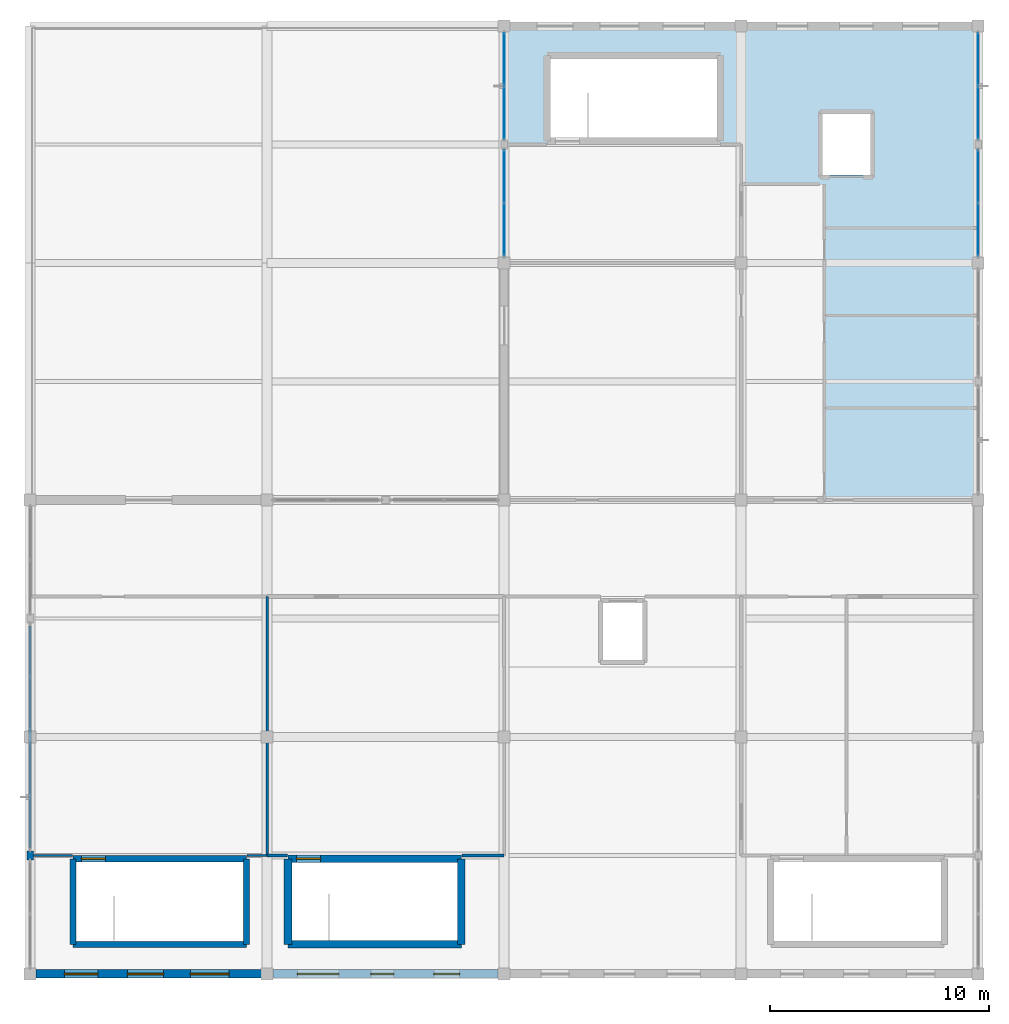
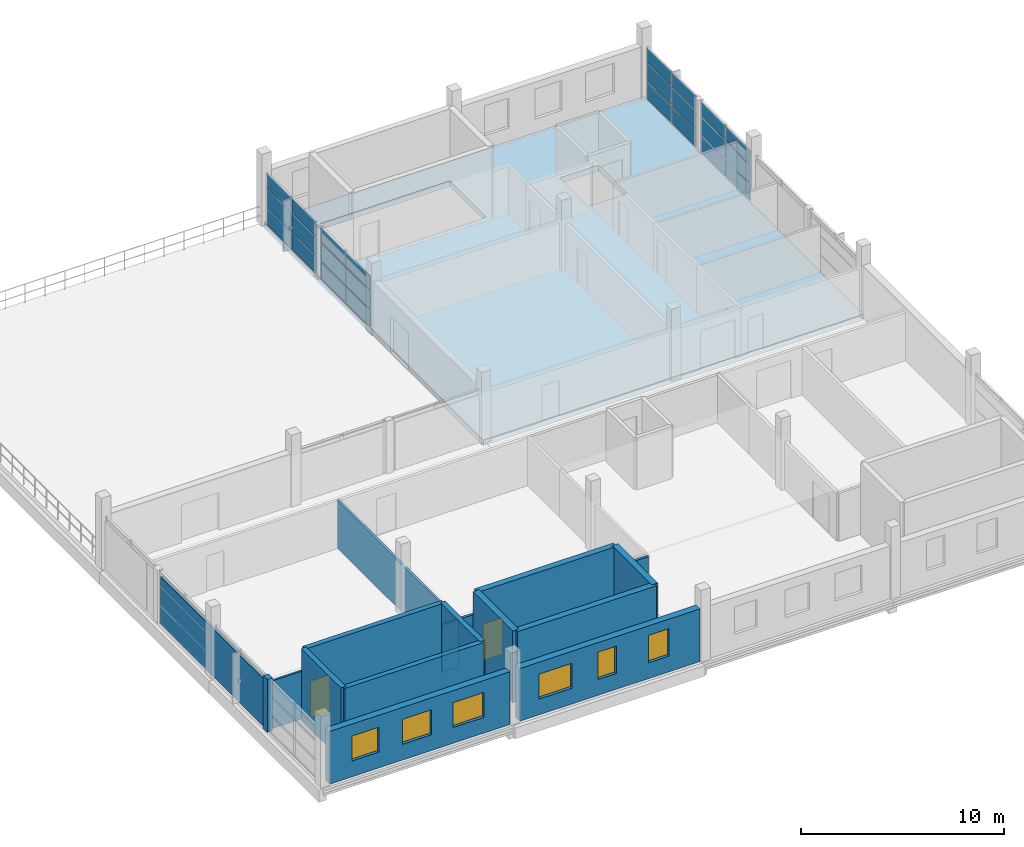
# One storey, part 11 of 15: 24 plates, 17 walls, 6 windows, 2 doors, 1 slab, 8 openings, 4 elements without a shape of their own.
"""IFC4 building model written with IfcOpenShell, lengths in metres."""

import ifcopenshell
import ifcopenshell.guid

model = None  # the IFC model being written
_history = None  # IfcOwnerHistory: only IFC2X3 demands one
_inside = {}  # id of a spatial element -> (the spatial element, [elements in it])
_under = {}  # id of a project, library or spatial element -> (it, [spatial elements below it])
_declared = {}  # id of a project -> (the project, [libraries it declares])
_typed = {}  # id of a type object -> (the type object, [elements of that type])
_made_of = {}  # id of a material, layer set ... -> (it, [elements and type objects made of it])


def new_model(schema):
    """Start an empty IFC model of exactly this schema.

    Asked for "IFC4X3", IfcOpenShell would pick the latest addendum, in which some entities
    have other attributes; the version numbers below select the first issue.
    IFC2X3 requires an IfcOwnerHistory on every rooted entity: one is made here for all.
    """
    global model, _history
    if schema == "IFC4X3":
        model = ifcopenshell.file(schema_version=(4, 3, 0, 0))
    else:
        model = ifcopenshell.file(schema=schema)
    _inside.clear()
    _under.clear()
    _declared.clear()
    _typed.clear()
    _made_of.clear()
    _history = None
    if model.schema == "IFC2X3":
        org = make("IfcOrganization", Name="unknown")
        user = make(
            "IfcPersonAndOrganization",
            ThePerson=make("IfcPerson", FamilyName="unknown"),
            TheOrganization=org,
        )
        app = make(
            "IfcApplication",
            ApplicationDeveloper=org,
            Version="unknown",
            ApplicationFullName="unknown",
            ApplicationIdentifier="unknown",
        )
        _history = make(
            "IfcOwnerHistory",
            OwningUser=user,
            OwningApplication=app,
            ChangeAction="ADDED",
            CreationDate=0,
        )
    return model


def make(cls, **values):
    """One entity of the class cls with the attributes given. An attribute that is None is left unset."""
    return model.create_entity(
        cls, **{name: value for name, value in values.items() if value is not None}
    )


def rooted(cls, **values):
    """An entity with a GlobalId (a new one), such as an element, a storey or a relation."""
    return make(cls, GlobalId=ifcopenshell.guid.new(), OwnerHistory=_history, **values)


def si_unit(unit_type, name, prefix=None):
    """IfcSIUnit, for example si_unit("LENGTHUNIT", "METRE", prefix="MILLI")."""
    return make("IfcSIUnit", UnitType=unit_type, Prefix=prefix, Name=name)


def assignment(units):
    """IfcUnitAssignment: the units of a project."""
    return None if units is None else make("IfcUnitAssignment", Units=units)


def point(xyz):
    """IfcCartesianPoint."""
    return None if xyz is None else make("IfcCartesianPoint", Coordinates=xyz)


def direction(xyz):
    """IfcDirection."""
    return None if xyz is None else make("IfcDirection", DirectionRatios=xyz)


def frame(location, z_axis=None, x_axis=None):
    """IfcAxis2Placement3D, a coordinate frame: its origin and axes. An axis left out is left unset."""
    return make(
        "IfcAxis2Placement3D",
        Location=point(location),
        Axis=direction(z_axis),
        RefDirection=direction(x_axis),
    )


def frame_2d(location, x_axis=None):
    """IfcAxis2Placement2D, a coordinate frame in the plane: its origin and x axis."""
    return make(
        "IfcAxis2Placement2D", Location=point(location), RefDirection=direction(x_axis)
    )


def origin():
    """The frame at (0, 0, 0) with its axes left unset."""
    return frame((0.0, 0.0, 0.0))


def origin_2d():
    """The frame at (0, 0) in the plane with its x axis left unset."""
    return frame_2d((0.0, 0.0))


def place(relative_to, where):
    """IfcLocalPlacement: puts the frame where relative to a parent placement (None: the world)."""
    return make(
        "IfcLocalPlacement", PlacementRelTo=relative_to, RelativePlacement=where
    )


def context(
    kind, dimensions, precision=None, world=None, true_north=None, identifier=None
):
    """IfcGeometricRepresentationContext, for example the 3D "Model" context."""
    return make(
        "IfcGeometricRepresentationContext",
        ContextIdentifier=identifier,
        ContextType=kind,
        CoordinateSpaceDimension=dimensions,
        Precision=precision,
        WorldCoordinateSystem=world,
        TrueNorth=true_north,
    )


def subcontext(parent, identifier, kind, view, scale=None):
    """IfcGeometricRepresentationSubContext, for example "Body" below "Model"."""
    return make(
        "IfcGeometricRepresentationSubContext",
        ContextIdentifier=identifier,
        ContextType=kind,
        ParentContext=parent,
        TargetScale=scale,
        TargetView=view,
    )


def project(units=None, contexts=None):
    """IfcProject with its units and contexts."""
    return rooted(
        "IfcProject",
        Name="project",
        RepresentationContexts=contexts,
        UnitsInContext=assignment(units),
    )


def spatial(cls, under=None, at=None, **own):
    """A site, building, storey or space (cls), placed at a placement, below another one or the project."""
    s = rooted(cls, ObjectPlacement=at, **own)
    if under is not None:
        _under.setdefault(under.id(), (under, []))[1].append(s)
    return s


def polyline(points):
    """IfcPolyline through the points."""
    return make("IfcPolyline", Points=[point(p) for p in points])


def profile(cls, at=None, kind="AREA", **sizes):
    """A parametric profile (cls). Its sizes go by their IFC names, for example OverallWidth=200.0."""
    return make(cls, ProfileType=kind, Position=at, **sizes)


def rectangle(**sizes):
    """IfcRectangleProfileDef."""
    return profile("IfcRectangleProfileDef", **sizes)


def outline(outer, holes=None, kind="AREA"):
    """IfcArbitraryClosedProfileDef: a profile drawn as a closed curve; with holes, ...WithVoids."""
    if holes is None:
        return make("IfcArbitraryClosedProfileDef", ProfileType=kind, OuterCurve=outer)
    return make(
        "IfcArbitraryProfileDefWithVoids",
        ProfileType=kind,
        OuterCurve=outer,
        InnerCurves=holes,
    )


def extrude(swept, where, along, depth):
    """IfcExtrudedAreaSolid: the profile swept, set in the frame where, extruded along a direction by depth."""
    return make(
        "IfcExtrudedAreaSolid",
        SweptArea=swept,
        Position=where,
        ExtrudedDirection=direction(along),
        Depth=depth,
    )


def shape(context_of_items, identifier, shape_type, items):
    """IfcShapeRepresentation: the items that make up one representation, for example the "Body"."""
    return make(
        "IfcShapeRepresentation",
        ContextOfItems=context_of_items,
        RepresentationIdentifier=identifier,
        RepresentationType=shape_type,
        Items=items,
    )


def material(Name=None, Category=None):
    """IfcMaterial."""
    return make("IfcMaterial", Name=Name, Category=Category)


def layer(
    of_material, thickness, ventilated=None, Name=None, Category=None, Priority=None
):
    """IfcMaterialLayer: one layer of a wall or slab, of a material (None: an air gap)."""
    return make(
        "IfcMaterialLayer",
        Material=of_material,
        LayerThickness=thickness,
        IsVentilated=ventilated,
        Name=Name,
        Category=Category,
        Priority=Priority,
    )


def layer_set(layers, Name=None):
    """IfcMaterialLayerSet."""
    return make("IfcMaterialLayerSet", MaterialLayers=layers, LayerSetName=Name)


def made_of(thing, what):
    """Note that an element or type object is made of a material, layer set ...; save() writes the relation."""
    if what is not None:
        _made_of.setdefault(what.id(), (what, []))[1].append(thing)
    return thing


def type_object(cls, material=None, **own):
    """A type object (cls), such as IfcWallType, which elements share."""
    return made_of(rooted(cls, **own), material)


def element(
    cls,
    number,
    at=None,
    inside=None,
    cuts=None,
    type_object=None,
    material=None,
    context=None,
    identifier="Body",
    shape_type=None,
    held_by="IfcProductDefinitionShape",
    body=None,
    shapes=None,
    **own,
):
    """One element of the class cls, such as IfcWall. Its Tag is "e" and its number.

    at: its placement. inside: the storey or other place that contains it. cuts: it is an
    opening in that element (IfcRelVoidsElement). A single representation is given by context,
    identifier, shape_type and body (its items); several are given by shapes. held_by: the class
    of the entity that holds the representations. save() writes the other relations.
    """
    e = rooted(cls, Tag="e%d" % number, ObjectPlacement=at, **own)
    if body is not None:
        shapes = [shape(context, identifier, shape_type, body)]
    if shapes is not None:
        e.Representation = make(held_by, Representations=shapes)
    if inside is not None:
        _inside.setdefault(inside.id(), (inside, []))[1].append(e)
    if cuts is not None:
        rooted(
            "IfcRelVoidsElement", RelatingBuildingElement=cuts, RelatedOpeningElement=e
        )
    if type_object is not None:
        _typed.setdefault(type_object.id(), (type_object, []))[1].append(e)
    return made_of(e, material)


def fill(opening, filler):
    """IfcRelFillsElement: the door or window that sits in an opening."""
    return rooted(
        "IfcRelFillsElement",
        RelatingOpeningElement=opening,
        RelatedBuildingElement=filler,
    )


def aggregate(whole, parts):
    """IfcRelAggregates: a whole, such as a stair, and the parts it consists of."""
    return rooted("IfcRelAggregates", RelatingObject=whole, RelatedObjects=parts)


def save(model, path):
    """Write the relations noted so far, then the file.

    IfcRelAggregates (storeys below a building ...), IfcRelContainedInSpatialStructure (elements
    in a storey), IfcRelDefinesByType, IfcRelAssociatesMaterial and IfcRelDeclares: one each for
    every whole, place, type object, material and project.
    """
    for whole, parts in _under.values():
        aggregate(whole, parts)
    for where, things in _inside.values():
        rooted(
            "IfcRelContainedInSpatialStructure",
            RelatedElements=things,
            RelatingStructure=where,
        )
    for kind, things in _typed.values():
        rooted("IfcRelDefinesByType", RelatedObjects=things, RelatingType=kind)
    for what, things in _made_of.values():
        rooted("IfcRelAssociatesMaterial", RelatedObjects=things, RelatingMaterial=what)
    for by, libraries in _declared.values():
        rooted("IfcRelDeclares", RelatingContext=by, RelatedDefinitions=libraries)
    model.write(path)


model = new_model("IFC4")

# Units and contexts
model_context = context("Model", 3, precision=1e-05, world=origin(), true_north=direction((0.0, 1.0)))
body_context = subcontext(model_context, "Body", "Model", "MODEL_VIEW")
ifc_project = project(units=[si_unit("LENGTHUNIT", "METRE"), si_unit("AREAUNIT", "SQUARE_METRE"), si_unit("VOLUMEUNIT", "CUBIC_METRE"), si_unit("PLANEANGLEUNIT", "RADIAN"), si_unit("MASSUNIT", "GRAM", prefix="KILO")], contexts=[model_context])

# Site, building, storey
site_placement = place(None, origin())
site = spatial("IfcSite", under=ifc_project, at=site_placement, CompositionType="ELEMENT")
building_placement = place(site_placement, origin())
building = spatial("IfcBuilding", under=site, at=building_placement, Name="Zwinboog Wholesale Market", CompositionType="ELEMENT")
storey_placement = place(building_placement, frame((0.0, 0.0, 14.760009765625)))
storey = spatial("IfcBuildingStorey", under=building, at=storey_placement, Name="L03", CompositionType="ELEMENT", Elevation=14.760009765625)

# Slab
ifc_material_1 = material(Name="Precast concrete C45/55", Category="concrete")
ifc_layer_1 = layer(ifc_material_1, 0.347900390625)
ifc_layer_set_1 = layer_set([ifc_layer_1], Name="Precast concrete C45/55")
slab_type = type_object("IfcSlabType", Name="SLT-FL-348", PredefinedType="FLOOR", material=ifc_layer_set_1)
slab_placement = place(storey_placement, frame((0.0, 0.0, -0.347900390625)))
element("IfcSlab", 1, at=slab_placement, inside=storey, type_object=slab_type, Name="SF-348 (SLB-L03-061)", PredefinedType="FLOOR", context=body_context, shape_type="SweptSolid", body=[
    extrude(outline(polyline([(151.199951171875, 21.60009765625), (172.800048828125, 21.60009765625), (172.800048828125, 43.199951171875), (151.199951171875, 43.199951171875), (151.199951171875, 21.60009765625)]), holes=[polyline([(153.300048828125, 38.10009765625), (160.89990234375, 38.10009765625), (160.89990234375, 41.699951171875), (153.300048828125, 41.699951171875), (153.300048828125, 38.10009765625)]), polyline([(165.699951171875, 36.39990234375), (167.89990234375, 36.39990234375), (167.89990234375, 39.199951171875), (165.699951171875, 39.199951171875), (165.699951171875, 36.39990234375)])]), origin(), (0.0, 0.0, 1.0), 0.347900390625),
])

# Curtain wall, plates
ifc_material_2 = material(Name="Aluminium thermally broken curtain wall", Category="aluminium")
curtain_wall_type_1 = type_object("IfcCurtainWallType", Name="CWT-CAFE-22", PredefinedType="USERDEFINED", material=ifc_material_2)
curtain_wall_1_placement = place(storey_placement, origin())
curtain_wall_1 = element("IfcCurtainWall", 2, at=curtain_wall_1_placement, inside=storey, type_object=curtain_wall_type_1, Name="CW-05 (CW-L03-173)", ObjectType="STOREFRONT_GLAZING", PredefinedType="USERDEFINED")
ifc_material_3 = material(Name="Double low-e insulated glazing", Category="glass")
ifc_layer_2 = layer(ifc_material_3, 0.031982421875)
ifc_layer_set_2 = layer_set([ifc_layer_2], Name="Double low-e insulated glazing")
plate_type = type_object("IfcPlateType", Name="CWP-IGU-32", PredefinedType="CURTAIN_PANEL", material=ifc_layer_set_2)
plate_1_placement = place(storey_placement, frame((151.199951171875, 33.918701171875, 0.06494140625), z_axis=(0.0, 0.0, 1.0), x_axis=(0.0, 1.0, 0.0)))
plate_1 = element("IfcPlate", 3, at=plate_1_placement, type_object=plate_type, Name="CW-05 panel 1.1", PredefinedType="CURTAIN_PANEL", context=body_context, shape_type="SweptSolid", body=[
    extrude(rectangle(XDim=2.367431640625, YDim=0.031982421875, at=origin_2d()), origin(), (0.0, 0.0, 1.0), 1.00244140625),
])
plate_2_placement = place(storey_placement, frame((151.199951171875, 33.918701171875, 1.132568359375), z_axis=(0.0, 0.0, 1.0), x_axis=(0.0, 1.0, 0.0)))
plate_2 = element("IfcPlate", 4, at=plate_2_placement, type_object=plate_type, Name="CW-05 panel 1.2", PredefinedType="CURTAIN_PANEL", context=body_context, shape_type="SweptSolid", body=[
    extrude(rectangle(XDim=2.367431640625, YDim=0.031982421875, at=origin_2d()), origin(), (0.0, 0.0, 1.0), 1.0849609375),
])
plate_3_placement = place(storey_placement, frame((151.199951171875, 33.918701171875, 2.28271484375), z_axis=(0.0, 0.0, 1.0), x_axis=(0.0, 1.0, 0.0)))
plate_3 = element("IfcPlate", 5, at=plate_3_placement, type_object=plate_type, Name="CW-05 panel 1.3", PredefinedType="CURTAIN_PANEL", context=body_context, shape_type="SweptSolid", body=[
    extrude(rectangle(XDim=2.367431640625, YDim=0.031982421875, at=origin_2d()), origin(), (0.0, 0.0, 1.0), 0.822509765625),
])
plate_4_placement = place(storey_placement, frame((151.199951171875, 36.351318359375, 0.06494140625), z_axis=(0.0, 0.0, 1.0), x_axis=(0.0, 1.0, 0.0)))
plate_4 = element("IfcPlate", 6, at=plate_4_placement, type_object=plate_type, Name="CW-05 panel 2.1", PredefinedType="CURTAIN_PANEL", context=body_context, shape_type="SweptSolid", body=[
    extrude(rectangle(XDim=2.367431640625, YDim=0.031982421875, at=origin_2d()), origin(), (0.0, 0.0, 1.0), 1.00244140625),
])
plate_5_placement = place(storey_placement, frame((151.199951171875, 36.351318359375, 1.132568359375), z_axis=(0.0, 0.0, 1.0), x_axis=(0.0, 1.0, 0.0)))
plate_5 = element("IfcPlate", 7, at=plate_5_placement, type_object=plate_type, Name="CW-05 panel 2.2", PredefinedType="CURTAIN_PANEL", context=body_context, shape_type="SweptSolid", body=[
    extrude(rectangle(XDim=2.367431640625, YDim=0.031982421875, at=origin_2d()), origin(), (0.0, 0.0, 1.0), 1.0849609375),
])
plate_6_placement = place(storey_placement, frame((151.199951171875, 36.351318359375, 2.28271484375), z_axis=(0.0, 0.0, 1.0), x_axis=(0.0, 1.0, 0.0)))
plate_6 = element("IfcPlate", 8, at=plate_6_placement, type_object=plate_type, Name="CW-05 panel 2.3", PredefinedType="CURTAIN_PANEL", context=body_context, shape_type="SweptSolid", body=[
    extrude(rectangle(XDim=2.367431640625, YDim=0.031982421875, at=origin_2d()), origin(), (0.0, 0.0, 1.0), 0.822509765625),
])
aggregate(curtain_wall_1, [plate_1, plate_2, plate_3, plate_4, plate_5, plate_6])

curtain_wall_type_2 = type_object("IfcCurtainWallType", Name="CWT-OFF-15", PredefinedType="USERDEFINED", material=ifc_material_2)
curtain_wall_2_placement = place(storey_placement, origin())
curtain_wall_2 = element("IfcCurtainWall", 9, at=curtain_wall_2_placement, inside=storey, type_object=curtain_wall_type_2, Name="CW-06 (CW-L03-174)", ObjectType="UNITIZED_CURTAIN_WALL", PredefinedType="USERDEFINED")
plate_7_placement = place(storey_placement, frame((151.199951171875, 39.24755859375, 0.06005859375), z_axis=(0.0, 0.0, 1.0), x_axis=(0.0, 1.0, 0.0)))
plate_7 = element("IfcPlate", 10, at=plate_7_placement, type_object=plate_type, Name="CW-06 panel 1.1", PredefinedType="CURTAIN_PANEL", context=body_context, shape_type="SweptSolid", body=[
    extrude(rectangle(XDim=2.375, YDim=0.031982421875, at=origin_2d()), origin(), (0.0, 0.0, 1.0), 1.010009765625),
])
plate_8_placement = place(storey_placement, frame((151.199951171875, 39.24755859375, 1.1298828125), z_axis=(0.0, 0.0, 1.0), x_axis=(0.0, 1.0, 0.0)))
plate_8 = element("IfcPlate", 11, at=plate_8_placement, type_object=plate_type, Name="CW-06 panel 1.2", PredefinedType="CURTAIN_PANEL", context=body_context, shape_type="SweptSolid", body=[
    extrude(rectangle(XDim=2.375, YDim=0.031982421875, at=origin_2d()), origin(), (0.0, 0.0, 1.0), 1.090087890625),
])
plate_9_placement = place(storey_placement, frame((151.199951171875, 39.24755859375, 2.280029296875), z_axis=(0.0, 0.0, 1.0), x_axis=(0.0, 1.0, 0.0)))
plate_9 = element("IfcPlate", 12, at=plate_9_placement, type_object=plate_type, Name="CW-06 panel 1.3", PredefinedType="CURTAIN_PANEL", context=body_context, shape_type="SweptSolid", body=[
    extrude(rectangle(XDim=2.375, YDim=0.031982421875, at=origin_2d()), origin(), (0.0, 0.0, 1.0), 0.830078125),
])
plate_10_placement = place(storey_placement, frame((151.199951171875, 41.6826171875, 0.06005859375), z_axis=(0.0, 0.0, 1.0), x_axis=(0.0, 1.0, 0.0)))
plate_10 = element("IfcPlate", 13, at=plate_10_placement, type_object=plate_type, Name="CW-06 panel 2.1", PredefinedType="CURTAIN_PANEL", context=body_context, shape_type="SweptSolid", body=[
    extrude(rectangle(XDim=2.375, YDim=0.031982421875, at=origin_2d()), origin(), (0.0, 0.0, 1.0), 1.010009765625),
])
plate_11_placement = place(storey_placement, frame((151.199951171875, 41.6826171875, 1.1298828125), z_axis=(0.0, 0.0, 1.0), x_axis=(0.0, 1.0, 0.0)))
plate_11 = element("IfcPlate", 14, at=plate_11_placement, type_object=plate_type, Name="CW-06 panel 2.2", PredefinedType="CURTAIN_PANEL", context=body_context, shape_type="SweptSolid", body=[
    extrude(rectangle(XDim=2.375, YDim=0.031982421875, at=origin_2d()), origin(), (0.0, 0.0, 1.0), 1.090087890625),
])
plate_12_placement = place(storey_placement, frame((151.199951171875, 41.6826171875, 2.280029296875), z_axis=(0.0, 0.0, 1.0), x_axis=(0.0, 1.0, 0.0)))
plate_12 = element("IfcPlate", 15, at=plate_12_placement, type_object=plate_type, Name="CW-06 panel 2.3", PredefinedType="CURTAIN_PANEL", context=body_context, shape_type="SweptSolid", body=[
    extrude(rectangle(XDim=2.375, YDim=0.031982421875, at=origin_2d()), origin(), (0.0, 0.0, 1.0), 0.830078125),
])
aggregate(curtain_wall_2, [plate_7, plate_8, plate_9, plate_10, plate_11, plate_12])

curtain_wall_3_placement = place(storey_placement, origin())
curtain_wall_3 = element("IfcCurtainWall", 16, at=curtain_wall_3_placement, inside=storey, type_object=curtain_wall_type_1, Name="CW-05 (CW-L03-179)", ObjectType="STOREFRONT_GLAZING", PredefinedType="USERDEFINED")
plate_13_placement = place(storey_placement, frame((172.800048828125, 33.918701171875, 0.06494140625), z_axis=(0.0, 0.0, 1.0), x_axis=(0.0, 1.0, 0.0)))
plate_13 = element("IfcPlate", 17, at=plate_13_placement, type_object=plate_type, Name="CW-05 panel 1.1", PredefinedType="CURTAIN_PANEL", context=body_context, shape_type="SweptSolid", body=[
    extrude(rectangle(XDim=2.367431640625, YDim=0.031982421875, at=origin_2d()), origin(), (0.0, 0.0, 1.0), 1.00244140625),
])
plate_14_placement = place(storey_placement, frame((172.800048828125, 33.918701171875, 1.132568359375), z_axis=(0.0, 0.0, 1.0), x_axis=(0.0, 1.0, 0.0)))
plate_14 = element("IfcPlate", 18, at=plate_14_placement, type_object=plate_type, Name="CW-05 panel 1.2", PredefinedType="CURTAIN_PANEL", context=body_context, shape_type="SweptSolid", body=[
    extrude(rectangle(XDim=2.367431640625, YDim=0.031982421875, at=origin_2d()), origin(), (0.0, 0.0, 1.0), 1.0849609375),
])
plate_15_placement = place(storey_placement, frame((172.800048828125, 33.918701171875, 2.28271484375), z_axis=(0.0, 0.0, 1.0), x_axis=(0.0, 1.0, 0.0)))
plate_15 = element("IfcPlate", 19, at=plate_15_placement, type_object=plate_type, Name="CW-05 panel 1.3", PredefinedType="CURTAIN_PANEL", context=body_context, shape_type="SweptSolid", body=[
    extrude(rectangle(XDim=2.367431640625, YDim=0.031982421875, at=origin_2d()), origin(), (0.0, 0.0, 1.0), 0.822509765625),
])
plate_16_placement = place(storey_placement, frame((172.800048828125, 36.351318359375, 0.06494140625), z_axis=(0.0, 0.0, 1.0), x_axis=(0.0, 1.0, 0.0)))
plate_16 = element("IfcPlate", 20, at=plate_16_placement, type_object=plate_type, Name="CW-05 panel 2.1", PredefinedType="CURTAIN_PANEL", context=body_context, shape_type="SweptSolid", body=[
    extrude(rectangle(XDim=2.367431640625, YDim=0.031982421875, at=origin_2d()), origin(), (0.0, 0.0, 1.0), 1.00244140625),
])
plate_17_placement = place(storey_placement, frame((172.800048828125, 36.351318359375, 1.132568359375), z_axis=(0.0, 0.0, 1.0), x_axis=(0.0, 1.0, 0.0)))
plate_17 = element("IfcPlate", 21, at=plate_17_placement, type_object=plate_type, Name="CW-05 panel 2.2", PredefinedType="CURTAIN_PANEL", context=body_context, shape_type="SweptSolid", body=[
    extrude(rectangle(XDim=2.367431640625, YDim=0.031982421875, at=origin_2d()), origin(), (0.0, 0.0, 1.0), 1.0849609375),
])
plate_18_placement = place(storey_placement, frame((172.800048828125, 36.351318359375, 2.28271484375), z_axis=(0.0, 0.0, 1.0), x_axis=(0.0, 1.0, 0.0)))
plate_18 = element("IfcPlate", 22, at=plate_18_placement, type_object=plate_type, Name="CW-05 panel 2.3", PredefinedType="CURTAIN_PANEL", context=body_context, shape_type="SweptSolid", body=[
    extrude(rectangle(XDim=2.367431640625, YDim=0.031982421875, at=origin_2d()), origin(), (0.0, 0.0, 1.0), 0.822509765625),
])
aggregate(curtain_wall_3, [plate_13, plate_14, plate_15, plate_16, plate_17, plate_18])

curtain_wall_4_placement = place(storey_placement, origin())
curtain_wall_4 = element("IfcCurtainWall", 23, at=curtain_wall_4_placement, inside=storey, type_object=curtain_wall_type_2, Name="CW-06 (CW-L03-180)", ObjectType="UNITIZED_CURTAIN_WALL", PredefinedType="USERDEFINED")
plate_19_placement = place(storey_placement, frame((172.800048828125, 39.24755859375, 0.06005859375), z_axis=(0.0, 0.0, 1.0), x_axis=(0.0, 1.0, 0.0)))
plate_19 = element("IfcPlate", 24, at=plate_19_placement, type_object=plate_type, Name="CW-06 panel 1.1", PredefinedType="CURTAIN_PANEL", context=body_context, shape_type="SweptSolid", body=[
    extrude(rectangle(XDim=2.375, YDim=0.031982421875, at=origin_2d()), origin(), (0.0, 0.0, 1.0), 1.010009765625),
])
plate_20_placement = place(storey_placement, frame((172.800048828125, 39.24755859375, 1.1298828125), z_axis=(0.0, 0.0, 1.0), x_axis=(0.0, 1.0, 0.0)))
plate_20 = element("IfcPlate", 25, at=plate_20_placement, type_object=plate_type, Name="CW-06 panel 1.2", PredefinedType="CURTAIN_PANEL", context=body_context, shape_type="SweptSolid", body=[
    extrude(rectangle(XDim=2.375, YDim=0.031982421875, at=origin_2d()), origin(), (0.0, 0.0, 1.0), 1.090087890625),
])
plate_21_placement = place(storey_placement, frame((172.800048828125, 39.24755859375, 2.280029296875), z_axis=(0.0, 0.0, 1.0), x_axis=(0.0, 1.0, 0.0)))
plate_21 = element("IfcPlate", 26, at=plate_21_placement, type_object=plate_type, Name="CW-06 panel 1.3", PredefinedType="CURTAIN_PANEL", context=body_context, shape_type="SweptSolid", body=[
    extrude(rectangle(XDim=2.375, YDim=0.031982421875, at=origin_2d()), origin(), (0.0, 0.0, 1.0), 0.830078125),
])
plate_22_placement = place(storey_placement, frame((172.800048828125, 41.6826171875, 0.06005859375), z_axis=(0.0, 0.0, 1.0), x_axis=(0.0, 1.0, 0.0)))
plate_22 = element("IfcPlate", 27, at=plate_22_placement, type_object=plate_type, Name="CW-06 panel 2.1", PredefinedType="CURTAIN_PANEL", context=body_context, shape_type="SweptSolid", body=[
    extrude(rectangle(XDim=2.375, YDim=0.031982421875, at=origin_2d()), origin(), (0.0, 0.0, 1.0), 1.010009765625),
])
plate_23_placement = place(storey_placement, frame((172.800048828125, 41.6826171875, 1.1298828125), z_axis=(0.0, 0.0, 1.0), x_axis=(0.0, 1.0, 0.0)))
plate_23 = element("IfcPlate", 28, at=plate_23_placement, type_object=plate_type, Name="CW-06 panel 2.2", PredefinedType="CURTAIN_PANEL", context=body_context, shape_type="SweptSolid", body=[
    extrude(rectangle(XDim=2.375, YDim=0.031982421875, at=origin_2d()), origin(), (0.0, 0.0, 1.0), 1.090087890625),
])
plate_24_placement = place(storey_placement, frame((172.800048828125, 41.6826171875, 2.280029296875), z_axis=(0.0, 0.0, 1.0), x_axis=(0.0, 1.0, 0.0)))
plate_24 = element("IfcPlate", 29, at=plate_24_placement, type_object=plate_type, Name="CW-06 panel 2.3", PredefinedType="CURTAIN_PANEL", context=body_context, shape_type="SweptSolid", body=[
    extrude(rectangle(XDim=2.375, YDim=0.031982421875, at=origin_2d()), origin(), (0.0, 0.0, 1.0), 0.830078125),
])
aggregate(curtain_wall_4, [plate_19, plate_20, plate_21, plate_22, plate_23, plate_24])

# Wall, openings, windows
ifc_layer_3 = layer(ifc_material_1, 0.389892578125)
ifc_layer_set_3 = layer_set([ifc_layer_3], Name="Precast concrete C45/55")
wall_type_1 = type_object("IfcWallType", Name="WT-EW-390", PredefinedType="STANDARD", material=ifc_layer_set_3)
wall_1_placement = place(storey_placement, frame((129.8701171875, 0.0, 0.0), z_axis=(0.0, 0.0, 1.0), x_axis=(1.0, 0.0, 0.0)))
wall_1 = element("IfcWall", 30, at=wall_1_placement, inside=storey, type_object=wall_type_1, Name="EW-02 (WL-EW-L03-215)", PredefinedType="STANDARD", context=body_context, shape_type="SweptSolid", body=[
    extrude(rectangle(XDim=10.259765625, YDim=0.389892578125, at=frame_2d((5.1298828125, 0.0))), origin(), (0.0, 0.0, 1.0), 3.169921875),
])
opening_1_placement = place(wall_1_placement, frame((1.284912109375, 0.0, 0.949951171875)))
opening_1 = element("IfcOpeningElement", 31, at=opening_1_placement, cuts=wall_1, Name="Opening WN-37", PredefinedType="OPENING", context=body_context, shape_type="SweptSolid", body=[
    extrude(rectangle(XDim=1.530029296875, YDim=1.5, at=frame_2d((0.76513671875, 0.75))), frame((0.0, 0.204833984375, 0.0), z_axis=(0.0, -1.0, 0.0), x_axis=(1.0, 0.0, 0.0)), (0.0, 0.0, 1.0), 0.409912109375),
])
opening_2_placement = place(wall_1_placement, frame((4.155029296875, 0.0, 0.949951171875)))
opening_2 = element("IfcOpeningElement", 32, at=opening_2_placement, cuts=wall_1, Name="Opening WN-38", PredefinedType="OPENING", context=body_context, shape_type="SweptSolid", body=[
    extrude(rectangle(XDim=1.64990234375, YDim=1.5, at=frame_2d((0.824951171875, 0.75))), frame((0.0, 0.204833984375, 0.0), z_axis=(0.0, -1.0, 0.0), x_axis=(1.0, 0.0, 0.0)), (0.0, 0.0, 1.0), 0.409912109375),
])
opening_3_placement = place(wall_1_placement, frame((7.02490234375, 0.0, 0.949951171875)))
opening_3 = element("IfcOpeningElement", 33, at=opening_3_placement, cuts=wall_1, Name="Opening WN-39", PredefinedType="OPENING", context=body_context, shape_type="SweptSolid", body=[
    extrude(rectangle(XDim=1.77001953125, YDim=1.5, at=frame_2d((0.885009765625, 0.75))), frame((0.0, 0.204833984375, 0.0), z_axis=(0.0, -1.0, 0.0), x_axis=(1.0, 0.0, 0.0)), (0.0, 0.0, 1.0), 0.409912109375),
])
ifc_material_4 = material(Name="Thermally broken aluminium low-e window", Category="aluminium")
window_type_1 = type_object("IfcWindowType", Name="WNT-37", PartitioningType="SINGLE_PANEL", PredefinedType="WINDOW", material=ifc_material_4)
window_1_placement = place(opening_1_placement, frame((1.530029296875, 0.0, 0.0), z_axis=(0.0, 0.0, 1.0), x_axis=(-1.0, 0.0, 0.0)))
window_1 = element("IfcWindow", 34, at=window_1_placement, inside=storey, type_object=window_type_1, Name="WN-37 (WIN-L03-0253)", OverallHeight=1.5, OverallWidth=1.530029296875, PartitioningType="SINGLE_PANEL", PredefinedType="WINDOW", context=body_context, shape_type="SweptSolid", body=[
    extrude(rectangle(XDim=1.530029296875, YDim=1.5, at=frame_2d((0.76513671875, 0.75))), frame((0.0, 0.030029296875, 0.0), z_axis=(0.0, -1.0, 0.0), x_axis=(1.0, 0.0, 0.0)), (0.0, 0.0, 1.0), 0.06005859375),
])
fill(opening_1, window_1)
window_type_2 = type_object("IfcWindowType", Name="WNT-38", PartitioningType="SINGLE_PANEL", PredefinedType="WINDOW", material=ifc_material_4)
window_2_placement = place(opening_2_placement, frame((1.64990234375, 0.0, 0.0), z_axis=(0.0, 0.0, 1.0), x_axis=(-1.0, 0.0, 0.0)))
window_2 = element("IfcWindow", 35, at=window_2_placement, inside=storey, type_object=window_type_2, Name="WN-38 (WIN-L03-0254)", OverallHeight=1.5, OverallWidth=1.64990234375, PartitioningType="SINGLE_PANEL", PredefinedType="WINDOW", context=body_context, shape_type="SweptSolid", body=[
    extrude(rectangle(XDim=1.64990234375, YDim=1.5, at=frame_2d((0.824951171875, 0.75))), frame((0.0, 0.030029296875, 0.0), z_axis=(0.0, -1.0, 0.0), x_axis=(1.0, 0.0, 0.0)), (0.0, 0.0, 1.0), 0.06005859375),
])
fill(opening_2, window_2)
window_type_3 = type_object("IfcWindowType", Name="WNT-39", PartitioningType="SINGLE_PANEL", PredefinedType="WINDOW", material=ifc_material_4)
window_3_placement = place(opening_3_placement, frame((1.77001953125, 0.0, 0.0), z_axis=(0.0, 0.0, 1.0), x_axis=(-1.0, 0.0, 0.0)))
window_3 = element("IfcWindow", 36, at=window_3_placement, inside=storey, type_object=window_type_3, Name="WN-39 (WIN-L03-0255)", OverallHeight=1.5, OverallWidth=1.77001953125, PartitioningType="SINGLE_PANEL", PredefinedType="WINDOW", context=body_context, shape_type="SweptSolid", body=[
    extrude(rectangle(XDim=1.77001953125, YDim=1.5, at=frame_2d((0.885009765625, 0.75))), frame((0.0, 0.030029296875, 0.0), z_axis=(0.0, -1.0, 0.0), x_axis=(1.0, 0.0, 0.0)), (0.0, 0.0, 1.0), 0.06005859375),
])
fill(opening_3, window_3)

wall_2_placement = place(storey_placement, frame((140.669921875, 0.0, 0.0), z_axis=(0.0, 0.0, 1.0), x_axis=(1.0, 0.0, 0.0)))
wall_2 = element("IfcWall", 37, at=wall_2_placement, inside=storey, type_object=wall_type_1, Name="EW-02 (WL-EW-L03-219)", PredefinedType="STANDARD", context=body_context, shape_type="SweptSolid", body=[
    extrude(rectangle(XDim=10.260009765625, YDim=0.389892578125, at=frame_2d((5.1298828125, 0.0))), origin(), (0.0, 0.0, 1.0), 3.169921875),
])
opening_4_placement = place(wall_2_placement, frame((1.10498046875, 0.0, 0.949951171875)))
opening_4 = element("IfcOpeningElement", 38, at=opening_4_placement, cuts=wall_2, Name="Opening WN-40", PredefinedType="OPENING", context=body_context, shape_type="SweptSolid", body=[
    extrude(rectangle(XDim=1.889892578125, YDim=1.5, at=frame_2d((0.94482421875, 0.75))), frame((0.0, 0.204833984375, 0.0), z_axis=(0.0, -1.0, 0.0), x_axis=(1.0, 0.0, 0.0)), (0.0, 0.0, 1.0), 0.409912109375),
])
opening_5_placement = place(wall_2_placement, frame((4.455078125, 0.0, 0.949951171875)))
opening_5 = element("IfcOpeningElement", 39, at=opening_5_placement, cuts=wall_2, Name="Opening WN-41", PredefinedType="OPENING", context=body_context, shape_type="SweptSolid", body=[
    extrude(rectangle(XDim=1.050048828125, YDim=1.64990234375, at=frame_2d((0.52490234375, 0.824951171875))), frame((0.0, 0.204833984375, 0.0), z_axis=(0.0, -1.0, 0.0), x_axis=(1.0, 0.0, 0.0)), (0.0, 0.0, 1.0), 0.409912109375),
])
opening_6_placement = place(wall_2_placement, frame((7.324951171875, 0.0, 0.949951171875)))
opening_6 = element("IfcOpeningElement", 40, at=opening_6_placement, cuts=wall_2, Name="Opening WN-42", PredefinedType="OPENING", context=body_context, shape_type="SweptSolid", body=[
    extrude(rectangle(XDim=1.169921875, YDim=1.64990234375, at=frame_2d((0.5849609375, 0.824951171875))), frame((0.0, 0.204833984375, 0.0), z_axis=(0.0, -1.0, 0.0), x_axis=(1.0, 0.0, 0.0)), (0.0, 0.0, 1.0), 0.409912109375),
])
window_type_4 = type_object("IfcWindowType", Name="WNT-40", PartitioningType="SINGLE_PANEL", PredefinedType="WINDOW", material=ifc_material_4)
window_4_placement = place(opening_4_placement, frame((1.889892578125, 0.0, 0.0), z_axis=(0.0, 0.0, 1.0), x_axis=(-1.0, 0.0, 0.0)))
window_4 = element("IfcWindow", 41, at=window_4_placement, inside=storey, type_object=window_type_4, Name="WN-40 (WIN-L03-0256)", OverallHeight=1.5, OverallWidth=1.889892578125, PartitioningType="SINGLE_PANEL", PredefinedType="WINDOW", context=body_context, shape_type="SweptSolid", body=[
    extrude(rectangle(XDim=1.889892578125, YDim=1.5, at=frame_2d((0.94482421875, 0.75))), frame((0.0, 0.030029296875, 0.0), z_axis=(0.0, -1.0, 0.0), x_axis=(1.0, 0.0, 0.0)), (0.0, 0.0, 1.0), 0.06005859375),
])
fill(opening_4, window_4)
window_type_5 = type_object("IfcWindowType", Name="WNT-41", PartitioningType="SINGLE_PANEL", PredefinedType="WINDOW", material=ifc_material_4)
window_5_placement = place(opening_5_placement, frame((1.050048828125, 0.0, 0.0), z_axis=(0.0, 0.0, 1.0), x_axis=(-1.0, 0.0, 0.0)))
window_5 = element("IfcWindow", 42, at=window_5_placement, inside=storey, type_object=window_type_5, Name="WN-41 (WIN-L03-0257)", OverallHeight=1.64990234375, OverallWidth=1.050048828125, PartitioningType="SINGLE_PANEL", PredefinedType="WINDOW", context=body_context, shape_type="SweptSolid", body=[
    extrude(rectangle(XDim=1.050048828125, YDim=1.64990234375, at=frame_2d((0.52490234375, 0.824951171875))), frame((0.0, 0.030029296875, 0.0), z_axis=(0.0, -1.0, 0.0), x_axis=(1.0, 0.0, 0.0)), (0.0, 0.0, 1.0), 0.06005859375),
])
fill(opening_5, window_5)
window_type_6 = type_object("IfcWindowType", Name="WNT-42", PartitioningType="SINGLE_PANEL", PredefinedType="WINDOW", material=ifc_material_4)
window_6_placement = place(opening_6_placement, frame((1.169921875, 0.0, 0.0), z_axis=(0.0, 0.0, 1.0), x_axis=(-1.0, 0.0, 0.0)))
window_6 = element("IfcWindow", 43, at=window_6_placement, inside=storey, type_object=window_type_6, Name="WN-42 (WIN-L03-0258)", OverallHeight=1.64990234375, OverallWidth=1.169921875, PartitioningType="SINGLE_PANEL", PredefinedType="WINDOW", context=body_context, shape_type="SweptSolid", body=[
    extrude(rectangle(XDim=1.169921875, YDim=1.64990234375, at=frame_2d((0.5849609375, 0.824951171875))), frame((0.0, 0.030029296875, 0.0), z_axis=(0.0, -1.0, 0.0), x_axis=(1.0, 0.0, 0.0)), (0.0, 0.0, 1.0), 0.06005859375),
])
fill(opening_6, window_6)

# Walls
ifc_layer_4 = layer(ifc_material_1, 0.304931640625)
ifc_layer_set_4 = layer_set([ifc_layer_4], Name="Precast concrete C45/55")
wall_type_2 = type_object("IfcWallType", Name="WT-EW-305", PredefinedType="STANDARD", material=ifc_layer_set_4)
wall_3_placement = place(storey_placement, frame((129.60009765625, 5.199951171875, 0.0), z_axis=(0.0, 0.0, 1.0), x_axis=(0.0, 1.0, 0.0)))
element("IfcWall", 44, at=wall_3_placement, inside=storey, type_object=wall_type_2, Name="EW-07 (WL-PIER-L03-216)", PredefinedType="STANDARD", context=body_context, shape_type="SweptSolid", body=[
    extrude(rectangle(XDim=0.400146484375, YDim=0.304931640625, at=frame_2d((0.2001953125, 0.0))), origin(), (0.0, 0.0, 1.0), 3.169921875),
])
ifc_material_5 = material(Name="Concrete C40/50", Category="concrete")
ifc_layer_5 = layer(ifc_material_5, 0.280029296875)
ifc_layer_set_5 = layer_set([ifc_layer_5], Name="Concrete C40/50")
wall_type_3 = type_object("IfcWallType", Name="WT-SW-280", PredefinedType="SHEAR", material=ifc_layer_set_5)
wall_4_placement = place(storey_placement, frame((131.550048828125, 1.35009765625, 0.0), z_axis=(0.0, 0.0, 1.0), x_axis=(1.0, 0.0, 0.0)))
element("IfcWall", 45, at=wall_4_placement, inside=storey, type_object=wall_type_3, Name="SW-01 (WL-SW-L03-093)", PredefinedType="SHEAR", context=body_context, shape_type="SweptSolid", body=[
    extrude(rectangle(XDim=7.89990234375, YDim=0.280029296875, at=frame_2d((3.949951171875, 0.0))), origin(), (0.0, 0.0, 1.0), 4.320068359375),
])

# Wall, opening, door
wall_5_placement = place(storey_placement, frame((131.550048828125, 5.25, 0.0), z_axis=(0.0, 0.0, 1.0), x_axis=(1.0, 0.0, 0.0)))
wall_5 = element("IfcWall", 46, at=wall_5_placement, inside=storey, type_object=wall_type_3, Name="SW-01 (WL-SW-L03-094)", PredefinedType="SHEAR", context=body_context, shape_type="SweptSolid", body=[
    extrude(rectangle(XDim=7.89990234375, YDim=0.280029296875, at=frame_2d((3.949951171875, 0.0))), origin(), (0.0, 0.0, 1.0), 4.320068359375),
])
opening_7_placement = place(wall_5_placement, frame((0.3798828125, 0.0, 0.0)))
opening_7 = element("IfcOpeningElement", 47, at=opening_7_placement, cuts=wall_5, Name="Opening FD-0024", PredefinedType="OPENING", context=body_context, shape_type="SweptSolid", body=[
    extrude(rectangle(XDim=1.10009765625, YDim=2.199951171875, at=frame_2d((0.550048828125, 1.10009765625))), frame((0.0, 0.14990234375, 0.0), z_axis=(0.0, -1.0, 0.0), x_axis=(1.0, 0.0, 0.0)), (0.0, 0.0, 1.0), 0.300048828125),
])
ifc_material_6 = material(Name="Timber and powder-coated steel door leaf", Category="steel")
door_type = type_object("IfcDoorType", Name="IDT-FD-02", OperationType="NOTDEFINED", PredefinedType="DOOR", material=ifc_material_6)
door_1_placement = place(opening_7_placement, origin())
door_1 = element("IfcDoor", 48, at=door_1_placement, inside=storey, type_object=door_type, Name="Core Fire Door FD-0024", OperationType="SINGLE_SWING_LEFT", OverallHeight=2.199951171875, OverallWidth=1.10009765625, PredefinedType="DOOR", context=body_context, shape_type="SweptSolid", body=[
    extrude(rectangle(XDim=1.10009765625, YDim=2.199951171875, at=frame_2d((0.550048828125, 1.10009765625))), frame((0.0, 0.02490234375, 0.0), z_axis=(0.0, -1.0, 0.0), x_axis=(1.0, 0.0, 0.0)), (0.0, 0.0, 1.0), 0.050048828125),
])
fill(opening_7, door_1)

# Walls
for number, where, z_axis, x_axis, name in (
    (49, (131.550048828125, 1.35009765625, 0.0), (0.0, 0.0, 1.0), (0.0, 1.0, 0.0), "SW-01 (WL-SW-L03-095)"),
    (50, (139.449951171875, 1.35009765625, 0.0), (0.0, 0.0, 1.0), (0.0, 1.0, 0.0), "SW-01 (WL-SW-L03-096)"),
):
    element("IfcWall", number, at=place(storey_placement, frame(where, z_axis=z_axis, x_axis=x_axis)), inside=storey, type_object=wall_type_3, Name=name, PredefinedType="SHEAR", context=body_context, shape_type="SweptSolid", body=[
        extrude(rectangle(XDim=3.89990234375, YDim=0.280029296875, at=frame_2d((1.949951171875, 0.0))), origin(), (0.0, 0.0, 1.0), 4.320068359375),
    ])
ifc_layer_6 = layer(ifc_material_5, 0.35009765625)
ifc_layer_set_6 = layer_set([ifc_layer_6], Name="Concrete C40/50")
wall_type_4 = type_object("IfcWallType", Name="WT-SW-350", PredefinedType="SHEAR", material=ifc_layer_set_6)
wall_6_placement = place(storey_placement, frame((141.35009765625, 1.35009765625, 0.0), z_axis=(0.0, 0.0, 1.0), x_axis=(1.0, 0.0, 0.0)))
element("IfcWall", 51, at=wall_6_placement, inside=storey, type_object=wall_type_4, Name="SW-04 (WL-SW-L03-141)", PredefinedType="SHEAR", context=body_context, shape_type="SweptSolid", body=[
    extrude(rectangle(XDim=7.89990234375, YDim=0.35009765625, at=frame_2d((3.949951171875, 0.0))), origin(), (0.0, 0.0, 1.0), 4.320068359375),
])

# Wall, opening, door
wall_7_placement = place(storey_placement, frame((141.35009765625, 5.25, 0.0), z_axis=(0.0, 0.0, 1.0), x_axis=(1.0, 0.0, 0.0)))
wall_7 = element("IfcWall", 52, at=wall_7_placement, inside=storey, type_object=wall_type_4, Name="SW-04 (WL-SW-L03-142)", PredefinedType="SHEAR", context=body_context, shape_type="SweptSolid", body=[
    extrude(rectangle(XDim=7.89990234375, YDim=0.35009765625, at=frame_2d((3.949951171875, 0.0))), origin(), (0.0, 0.0, 1.0), 4.320068359375),
])
opening_8_placement = place(wall_7_placement, frame((0.3798828125, 0.0, 0.0)))
opening_8 = element("IfcOpeningElement", 53, at=opening_8_placement, cuts=wall_7, Name="Opening FD-0036", PredefinedType="OPENING", context=body_context, shape_type="SweptSolid", body=[
    extrude(rectangle(XDim=1.10009765625, YDim=2.199951171875, at=frame_2d((0.550048828125, 1.10009765625))), frame((0.0, 0.18505859375, 0.0), z_axis=(0.0, -1.0, 0.0), x_axis=(1.0, 0.0, 0.0)), (0.0, 0.0, 1.0), 0.3701171875),
])
door_2_placement = place(opening_8_placement, origin())
door_2 = element("IfcDoor", 54, at=door_2_placement, inside=storey, type_object=door_type, Name="Core Fire Door FD-0036", OperationType="SINGLE_SWING_LEFT", OverallHeight=2.199951171875, OverallWidth=1.10009765625, PredefinedType="DOOR", context=body_context, shape_type="SweptSolid", body=[
    extrude(rectangle(XDim=1.10009765625, YDim=2.199951171875, at=frame_2d((0.550048828125, 1.10009765625))), frame((0.0, 0.02490234375, 0.0), z_axis=(0.0, -1.0, 0.0), x_axis=(1.0, 0.0, 0.0)), (0.0, 0.0, 1.0), 0.050048828125),
])
fill(opening_8, door_2)

# Walls
for number, where, z_axis, x_axis, name in (
    (55, (141.35009765625, 1.35009765625, 0.0), (0.0, 0.0, 1.0), (0.0, 1.0, 0.0), "SW-04 (WL-SW-L03-143)"),
    (56, (149.25, 1.35009765625, 0.0), (0.0, 0.0, 1.0), (0.0, 1.0, 0.0), "SW-04 (WL-SW-L03-144)"),
):
    element("IfcWall", number, at=place(storey_placement, frame(where, z_axis=z_axis, x_axis=x_axis)), inside=storey, type_object=wall_type_4, Name=name, PredefinedType="SHEAR", context=body_context, shape_type="SweptSolid", body=[
        extrude(rectangle(XDim=3.89990234375, YDim=0.35009765625, at=frame_2d((1.949951171875, 0.0))), origin(), (0.0, 0.0, 1.0), 4.320068359375),
    ])
ifc_material_7 = material(Name="Gypsum acoustic stud partition")
ifc_layer_7 = layer(ifc_material_7, 0.10791015625)
ifc_layer_set_7 = layer_set([ifc_layer_7], Name="Gypsum acoustic stud partition")
wall_type_5 = type_object("IfcWallType", Name="WT-PT-108", PredefinedType="PARTITIONING", material=ifc_layer_set_7)
wall_8_placement = place(storey_placement, frame((129.732421875, 5.39990234375, 0.0), z_axis=(0.0, 0.0, 1.0), x_axis=(1.0, 0.0, 0.0)))
element("IfcWall", 57, at=wall_8_placement, inside=storey, type_object=wall_type_5, Name="PW-01 (WL-IN-L03-0313)", PredefinedType="PARTITIONING", context=body_context, shape_type="SweptSolid", body=[
    extrude(rectangle(XDim=1.797607421875, YDim=0.10791015625, at=frame_2d((0.89892578125, 0.0))), origin(), (0.0, 0.0, 1.0), 2.869873046875),
])
wall_9_placement = place(storey_placement, frame((139.469970703125, 5.39990234375, 0.0), z_axis=(0.0, 0.0, 1.0), x_axis=(1.0, 0.0, 0.0)))
element("IfcWall", 58, at=wall_9_placement, inside=storey, type_object=wall_type_5, Name="PW-01 (WL-IN-L03-0314)", PredefinedType="PARTITIONING", context=body_context, shape_type="SweptSolid", body=[
    extrude(rectangle(XDim=0.929931640625, YDim=0.10791015625, at=frame_2d((0.46484375, 0.0))), origin(), (0.0, 0.0, 1.0), 2.869873046875),
])
ifc_layer_8 = layer(ifc_material_7, 0.1240234375)
ifc_layer_set_8 = layer_set([ifc_layer_8], Name="Gypsum acoustic stud partition")
wall_type_6 = type_object("IfcWallType", Name="WT-PT-124", PredefinedType="PARTITIONING", material=ifc_layer_set_8)
wall_10_placement = place(storey_placement, frame((140.39990234375, 5.39990234375, 0.0), z_axis=(0.0, 0.0, 1.0), x_axis=(0.0, 1.0, 0.0)))
element("IfcWall", 59, at=wall_10_placement, inside=storey, type_object=wall_type_6, Name="PW-02 (WL-IN-L03-0320)", PredefinedType="PARTITIONING", context=body_context, shape_type="SweptSolid", body=[
    extrude(rectangle(XDim=11.800048828125, YDim=0.1240234375, at=frame_2d((5.89990234375, 0.0))), origin(), (0.0, 0.0, 1.0), 2.869873046875),
])
ifc_material_8 = material(Name="Hygienic washable stud partition")
ifc_layer_9 = layer(ifc_material_8, 0.137939453125)
ifc_layer_set_9 = layer_set([ifc_layer_9], Name="Hygienic washable stud partition")
wall_type_7 = type_object("IfcWallType", Name="WT-PT-138", PredefinedType="PARTITIONING", material=ifc_layer_set_9)
wall_11_placement = place(storey_placement, frame((129.60009765625, 5.75244140625, 0.0), z_axis=(0.0, 0.0, 1.0), x_axis=(0.0, 1.0, 0.0)))
element("IfcWall", 60, at=wall_11_placement, inside=storey, type_object=wall_type_7, Name="PW-03 (WL-IN-L03-0315)", PredefinedType="PARTITIONING", context=body_context, shape_type="SweptSolid", body=[
    extrude(rectangle(XDim=10.094970703125, YDim=0.137939453125, at=frame_2d((5.04736328125, 0.0))), origin(), (0.0, 0.0, 1.0), 2.869873046875),
])
wall_12_placement = place(storey_placement, frame((140.39990234375, 5.39990234375, 0.0), z_axis=(0.0, 0.0, 1.0), x_axis=(1.0, 0.0, 0.0)))
element("IfcWall", 61, at=wall_12_placement, inside=storey, type_object=wall_type_7, Name="PW-03 (WL-IN-L03-0321)", PredefinedType="PARTITIONING", context=body_context, shape_type="SweptSolid", body=[
    extrude(rectangle(XDim=0.93017578125, YDim=0.137939453125, at=frame_2d((0.465087890625, 0.0))), origin(), (0.0, 0.0, 1.0), 2.869873046875),
])
wall_13_placement = place(storey_placement, frame((149.27001953125, 5.39990234375, 0.0), z_axis=(0.0, 0.0, 1.0), x_axis=(1.0, 0.0, 0.0)))
element("IfcWall", 62, at=wall_13_placement, inside=storey, type_object=wall_type_7, Name="PW-03 (WL-IN-L03-0322)", PredefinedType="PARTITIONING", context=body_context, shape_type="SweptSolid", body=[
    extrude(rectangle(XDim=1.929931640625, YDim=0.137939453125, at=frame_2d((0.96484375, 0.0))), origin(), (0.0, 0.0, 1.0), 2.869873046875),
])

save(model, "model.ifc")
